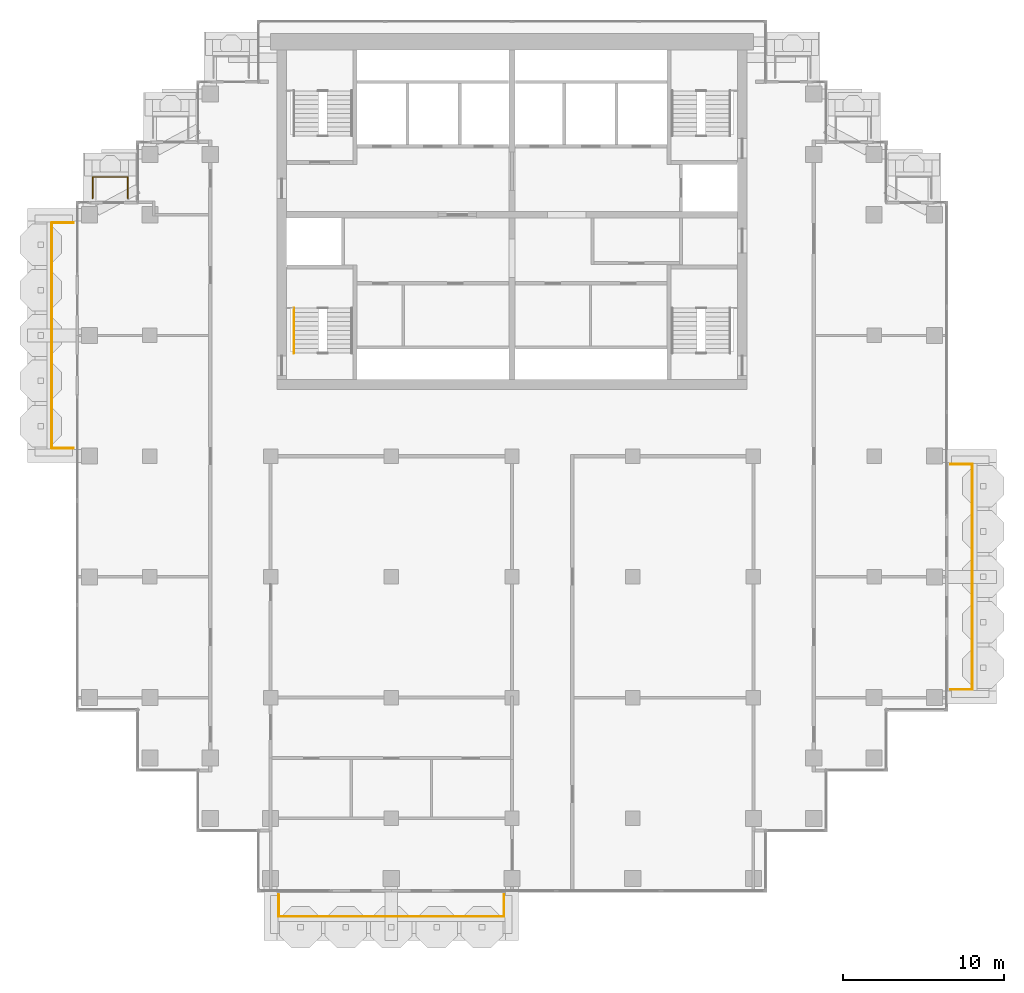
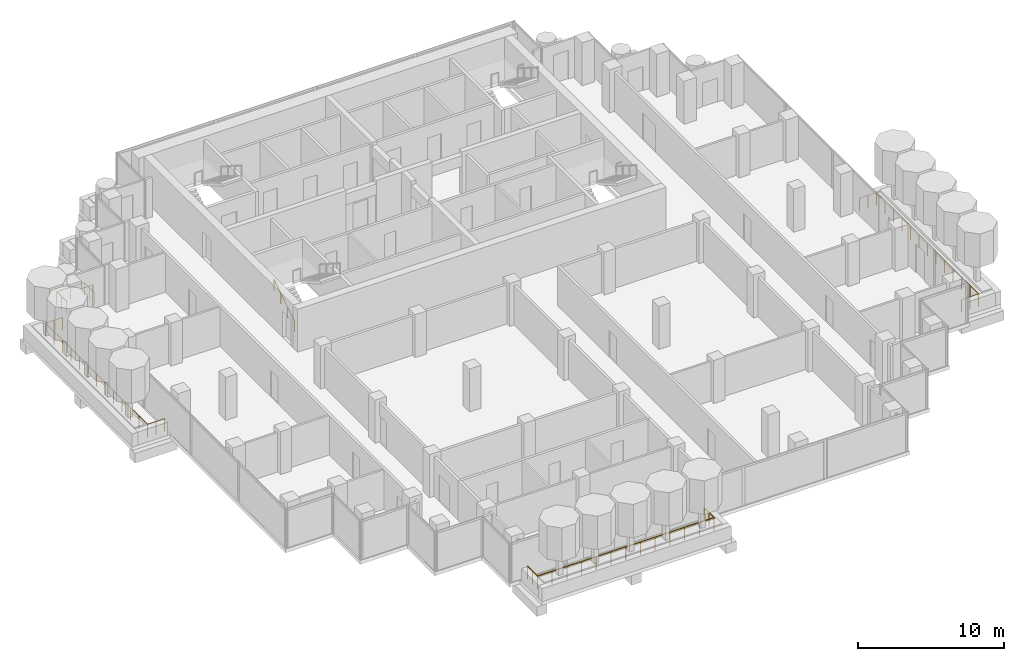
# One storey, part 15 of 17: 5 railings.
"""IFC4 building model written with IfcOpenShell, lengths in metres."""

from ifc_helpers import new_model, si_unit, direction, frame, origin, origin_2d, place, context, subcontext, project, spatial, circle, extrude, material, type_object, element, save


model = new_model("IFC4")

# Units and contexts
model_context = context("Model", 3, precision=1e-05, world=origin(), true_north=direction((0.0, 1.0)))
body_context = subcontext(model_context, "Body", "Model", "MODEL_VIEW")
ifc_project = project(units=[si_unit("LENGTHUNIT", "METRE"), si_unit("AREAUNIT", "SQUARE_METRE"), si_unit("VOLUMEUNIT", "CUBIC_METRE"), si_unit("PLANEANGLEUNIT", "RADIAN"), si_unit("MASSUNIT", "GRAM", prefix="KILO")], contexts=[model_context])

# Site, building, storey
site_placement = place(None, origin())
site = spatial("IfcSite", under=ifc_project, at=site_placement, CompositionType="ELEMENT")
building_placement = place(site_placement, origin())
building = spatial("IfcBuilding", under=site, at=building_placement, Name="Pilkhan Gate Tower", CompositionType="ELEMENT")
storey_placement = place(building_placement, frame((0.0, 0.0, 206.699951171875)))
storey = spatial("IfcBuildingStorey", under=building, at=storey_placement, Name="L53", CompositionType="ELEMENT", Elevation=206.699951171875)

# Railings
ifc_material_1 = material(Name="Pale anodised aluminium posts, laminated glass infill", Category="aluminium")
railing_type_1 = type_object("IfcRailingType", Name="Balcony guard G1", PredefinedType="BALUSTRADE", material=ifc_material_1)
railing_1_placement = place(storey_placement, frame((60.5, 40.25, 0.0)))
element("IfcRailing", 1, at=railing_1_placement, inside=storey, type_object=railing_type_1, Name="Balcony guard L53 S", PredefinedType="BALUSTRADE", context=body_context, shape_type="SweptSolid", body=[
    extrude(circle(Radius=0.02392578125, at=origin_2d()), frame((0.0, 0.0, 1.076171875), z_axis=(0.0, -1.0, 0.0), x_axis=(1.0, 0.0, 0.0)), (0.0, 0.0, 1.0), 1.35009765625),
    extrude(circle(Radius=0.02392578125, at=origin_2d()), frame((0.0, -1.35009765625, 1.076171875), z_axis=(1.0, 0.0, 0.0), x_axis=(0.0, 1.0, 0.0)), (0.0, 0.0, 1.0), 14.0),
    extrude(circle(Radius=0.02392578125, at=origin_2d()), frame((14.0, -1.35009765625, 1.076171875), z_axis=(0.0, 1.0, 0.0), x_axis=(-1.0, 0.0, 0.0)), (0.0, 0.0, 1.0), 1.35009765625),
    extrude(circle(Radius=0.02099609375, at=origin_2d()), origin(), (0.0, 0.0, 1.0), 1.052001953125),
    extrude(circle(Radius=0.02099609375, at=origin_2d()), frame((0.0, -0.675048828125, 0.0)), (0.0, 0.0, 1.0), 1.052001953125),
    extrude(circle(Radius=0.02099609375, at=origin_2d()), frame((0.0, -1.35009765625, 0.0)), (0.0, 0.0, 1.0), 1.052001953125),
    extrude(circle(Radius=0.02099609375, at=origin_2d()), frame((1.166748046875, -1.35009765625, 0.0)), (0.0, 0.0, 1.0), 1.052001953125),
    extrude(circle(Radius=0.02099609375, at=origin_2d()), frame((2.333251953125, -1.35009765625, 0.0)), (0.0, 0.0, 1.0), 1.052001953125),
    extrude(circle(Radius=0.02099609375, at=origin_2d()), frame((3.5, -1.35009765625, 0.0)), (0.0, 0.0, 1.0), 1.052001953125),
    extrude(circle(Radius=0.02099609375, at=origin_2d()), frame((4.666748046875, -1.35009765625, 0.0)), (0.0, 0.0, 1.0), 1.052001953125),
    extrude(circle(Radius=0.02099609375, at=origin_2d()), frame((5.833251953125, -1.35009765625, 0.0)), (0.0, 0.0, 1.0), 1.052001953125),
    extrude(circle(Radius=0.02099609375, at=origin_2d()), frame((7.0, -1.35009765625, 0.0)), (0.0, 0.0, 1.0), 1.052001953125),
    extrude(circle(Radius=0.02099609375, at=origin_2d()), frame((8.166748046875, -1.35009765625, 0.0)), (0.0, 0.0, 1.0), 1.052001953125),
    extrude(circle(Radius=0.02099609375, at=origin_2d()), frame((9.333251953125, -1.35009765625, 0.0)), (0.0, 0.0, 1.0), 1.052001953125),
    extrude(circle(Radius=0.02099609375, at=origin_2d()), frame((10.5, -1.35009765625, 0.0)), (0.0, 0.0, 1.0), 1.052001953125),
    extrude(circle(Radius=0.02099609375, at=origin_2d()), frame((11.666748046875, -1.35009765625, 0.0)), (0.0, 0.0, 1.0), 1.052001953125),
    extrude(circle(Radius=0.02099609375, at=origin_2d()), frame((12.833251953125, -1.35009765625, 0.0)), (0.0, 0.0, 1.0), 1.052001953125),
    extrude(circle(Radius=0.02099609375, at=origin_2d()), frame((14.0, -1.35009765625, 0.0)), (0.0, 0.0, 1.0), 1.052001953125),
    extrude(circle(Radius=0.02099609375, at=origin_2d()), frame((14.0, -0.675048828125, 0.0)), (0.0, 0.0, 1.0), 1.052001953125),
    extrude(circle(Radius=0.02099609375, at=origin_2d()), frame((14.0, 0.0, 0.0)), (0.0, 0.0, 1.0), 1.052001953125),
])
railing_2_placement = place(storey_placement, frame((102.25, 53.0, 0.0)))
element("IfcRailing", 2, at=railing_2_placement, inside=storey, type_object=railing_type_1, Name="Balcony guard L53 E", PredefinedType="BALUSTRADE", context=body_context, shape_type="SweptSolid", body=[
    extrude(circle(Radius=0.02392578125, at=origin_2d()), frame((0.0, 0.0, 1.076171875), z_axis=(1.0, 0.0, 0.0), x_axis=(0.0, 1.0, 0.0)), (0.0, 0.0, 1.0), 1.35009765625),
    extrude(circle(Radius=0.02392578125, at=origin_2d()), frame((1.35009765625, 0.0, 1.076171875), z_axis=(0.0, 1.0, 0.0), x_axis=(-1.0, 0.0, 0.0)), (0.0, 0.0, 1.0), 14.0),
    extrude(circle(Radius=0.02392578125, at=origin_2d()), frame((1.35009765625, 14.0, 1.076171875), z_axis=(-1.0, 0.0, 0.0), x_axis=(0.0, -1.0, 0.0)), (0.0, 0.0, 1.0), 1.35009765625),
    extrude(circle(Radius=0.02099609375, at=origin_2d()), origin(), (0.0, 0.0, 1.0), 1.052001953125),
    extrude(circle(Radius=0.02099609375, at=origin_2d()), frame((0.675048828125, 0.0, 0.0)), (0.0, 0.0, 1.0), 1.052001953125),
    extrude(circle(Radius=0.02099609375, at=origin_2d()), frame((1.35009765625, 0.0, 0.0)), (0.0, 0.0, 1.0), 1.052001953125),
    extrude(circle(Radius=0.02099609375, at=origin_2d()), frame((1.35009765625, 1.166748046875, 0.0)), (0.0, 0.0, 1.0), 1.052001953125),
    extrude(circle(Radius=0.02099609375, at=origin_2d()), frame((1.35009765625, 2.333251953125, 0.0)), (0.0, 0.0, 1.0), 1.052001953125),
    extrude(circle(Radius=0.02099609375, at=origin_2d()), frame((1.35009765625, 3.5, 0.0)), (0.0, 0.0, 1.0), 1.052001953125),
    extrude(circle(Radius=0.02099609375, at=origin_2d()), frame((1.35009765625, 4.666748046875, 0.0)), (0.0, 0.0, 1.0), 1.052001953125),
    extrude(circle(Radius=0.02099609375, at=origin_2d()), frame((1.35009765625, 5.833251953125, 0.0)), (0.0, 0.0, 1.0), 1.052001953125),
    extrude(circle(Radius=0.02099609375, at=origin_2d()), frame((1.35009765625, 7.0, 0.0)), (0.0, 0.0, 1.0), 1.052001953125),
    extrude(circle(Radius=0.02099609375, at=origin_2d()), frame((1.35009765625, 8.166748046875, 0.0)), (0.0, 0.0, 1.0), 1.052001953125),
    extrude(circle(Radius=0.02099609375, at=origin_2d()), frame((1.35009765625, 9.333251953125, 0.0)), (0.0, 0.0, 1.0), 1.052001953125),
    extrude(circle(Radius=0.02099609375, at=origin_2d()), frame((1.35009765625, 10.5, 0.0)), (0.0, 0.0, 1.0), 1.052001953125),
    extrude(circle(Radius=0.02099609375, at=origin_2d()), frame((1.35009765625, 11.666748046875, 0.0)), (0.0, 0.0, 1.0), 1.052001953125),
    extrude(circle(Radius=0.02099609375, at=origin_2d()), frame((1.35009765625, 12.833251953125, 0.0)), (0.0, 0.0, 1.0), 1.052001953125),
    extrude(circle(Radius=0.02099609375, at=origin_2d()), frame((1.35009765625, 14.0, 0.0)), (0.0, 0.0, 1.0), 1.052001953125),
    extrude(circle(Radius=0.02099609375, at=origin_2d()), frame((0.675048828125, 14.0, 0.0)), (0.0, 0.0, 1.0), 1.052001953125),
    extrude(circle(Radius=0.02099609375, at=origin_2d()), frame((0.0, 14.0, 0.0)), (0.0, 0.0, 1.0), 1.052001953125),
])
railing_3_placement = place(storey_placement, frame((48.949951171875, 83.52001953125, 0.0)))
element("IfcRailing", 3, at=railing_3_placement, inside=storey, type_object=railing_type_1, Name="Balcony guard L53 N", PredefinedType="BALUSTRADE", context=body_context, shape_type="SweptSolid", body=[
    extrude(circle(Radius=0.02392578125, at=origin_2d()), frame((0.0, 0.0, 1.076171875), z_axis=(0.0, 1.0, 0.0), x_axis=(-1.0, 0.0, 0.0)), (0.0, 0.0, 1.0), 1.330078125),
    extrude(circle(Radius=0.02392578125, at=origin_2d()), frame((0.0, 1.330078125, 1.076171875), z_axis=(1.0, 0.0, 0.0), x_axis=(0.0, 1.0, 0.0)), (0.0, 0.0, 1.0), 2.179931640625),
    extrude(circle(Radius=0.02392578125, at=origin_2d()), frame((2.179931640625, 1.330078125, 1.076171875), z_axis=(0.0, -1.0, 0.0), x_axis=(1.0, 0.0, 0.0)), (0.0, 0.0, 1.0), 1.330078125),
    extrude(circle(Radius=0.02099609375, at=origin_2d()), origin(), (0.0, 0.0, 1.0), 1.052001953125),
    extrude(circle(Radius=0.02099609375, at=origin_2d()), frame((0.0, 0.6650390625, 0.0)), (0.0, 0.0, 1.0), 1.052001953125),
    extrude(circle(Radius=0.02099609375, at=origin_2d()), frame((0.0, 1.330078125, 0.0)), (0.0, 0.0, 1.0), 1.052001953125),
    extrude(circle(Radius=0.02099609375, at=origin_2d()), frame((1.08984375, 1.330078125, 0.0)), (0.0, 0.0, 1.0), 1.052001953125),
    extrude(circle(Radius=0.02099609375, at=origin_2d()), frame((2.179931640625, 1.330078125, 0.0)), (0.0, 0.0, 1.0), 1.052001953125),
    extrude(circle(Radius=0.02099609375, at=origin_2d()), frame((2.179931640625, 0.6650390625, 0.0)), (0.0, 0.0, 1.0), 1.052001953125),
    extrude(circle(Radius=0.02099609375, at=origin_2d()), frame((2.179931640625, 0.0, 0.0)), (0.0, 0.0, 1.0), 1.052001953125),
])
railing_4_placement = place(storey_placement, frame((47.75, 68.0, 0.0)))
element("IfcRailing", 4, at=railing_4_placement, inside=storey, type_object=railing_type_1, Name="Balcony guard L53 W", PredefinedType="BALUSTRADE", context=body_context, shape_type="SweptSolid", body=[
    extrude(circle(Radius=0.02392578125, at=origin_2d()), frame((0.0, 0.0, 1.076171875), z_axis=(-1.0, 0.0, 0.0), x_axis=(0.0, -1.0, 0.0)), (0.0, 0.0, 1.0), 1.35009765625),
    extrude(circle(Radius=0.02392578125, at=origin_2d()), frame((-1.35009765625, 0.0, 1.076171875), z_axis=(0.0, 1.0, 0.0), x_axis=(-1.0, 0.0, 0.0)), (0.0, 0.0, 1.0), 14.0),
    extrude(circle(Radius=0.02392578125, at=origin_2d()), frame((-1.35009765625, 14.0, 1.076171875), z_axis=(1.0, 0.0, 0.0), x_axis=(0.0, 1.0, 0.0)), (0.0, 0.0, 1.0), 1.35009765625),
    extrude(circle(Radius=0.02099609375, at=origin_2d()), origin(), (0.0, 0.0, 1.0), 1.052001953125),
    extrude(circle(Radius=0.02099609375, at=origin_2d()), frame((-0.675048828125, 0.0, 0.0)), (0.0, 0.0, 1.0), 1.052001953125),
    extrude(circle(Radius=0.02099609375, at=origin_2d()), frame((-1.35009765625, 0.0, 0.0)), (0.0, 0.0, 1.0), 1.052001953125),
    extrude(circle(Radius=0.02099609375, at=origin_2d()), frame((-1.35009765625, 1.166748046875, 0.0)), (0.0, 0.0, 1.0), 1.052001953125),
    extrude(circle(Radius=0.02099609375, at=origin_2d()), frame((-1.35009765625, 2.333251953125, 0.0)), (0.0, 0.0, 1.0), 1.052001953125),
    extrude(circle(Radius=0.02099609375, at=origin_2d()), frame((-1.35009765625, 3.5, 0.0)), (0.0, 0.0, 1.0), 1.052001953125),
    extrude(circle(Radius=0.02099609375, at=origin_2d()), frame((-1.35009765625, 4.666748046875, 0.0)), (0.0, 0.0, 1.0), 1.052001953125),
    extrude(circle(Radius=0.02099609375, at=origin_2d()), frame((-1.35009765625, 5.833251953125, 0.0)), (0.0, 0.0, 1.0), 1.052001953125),
    extrude(circle(Radius=0.02099609375, at=origin_2d()), frame((-1.35009765625, 7.0, 0.0)), (0.0, 0.0, 1.0), 1.052001953125),
    extrude(circle(Radius=0.02099609375, at=origin_2d()), frame((-1.35009765625, 8.166748046875, 0.0)), (0.0, 0.0, 1.0), 1.052001953125),
    extrude(circle(Radius=0.02099609375, at=origin_2d()), frame((-1.35009765625, 9.333251953125, 0.0)), (0.0, 0.0, 1.0), 1.052001953125),
    extrude(circle(Radius=0.02099609375, at=origin_2d()), frame((-1.35009765625, 10.5, 0.0)), (0.0, 0.0, 1.0), 1.052001953125),
    extrude(circle(Radius=0.02099609375, at=origin_2d()), frame((-1.35009765625, 11.666748046875, 0.0)), (0.0, 0.0, 1.0), 1.052001953125),
    extrude(circle(Radius=0.02099609375, at=origin_2d()), frame((-1.35009765625, 12.833251953125, 0.0)), (0.0, 0.0, 1.0), 1.052001953125),
    extrude(circle(Radius=0.02099609375, at=origin_2d()), frame((-1.35009765625, 14.0, 0.0)), (0.0, 0.0, 1.0), 1.052001953125),
    extrude(circle(Radius=0.02099609375, at=origin_2d()), frame((-0.675048828125, 14.0, 0.0)), (0.0, 0.0, 1.0), 1.052001953125),
    extrude(circle(Radius=0.02099609375, at=origin_2d()), frame((0.0, 14.0, 0.0)), (0.0, 0.0, 1.0), 1.052001953125),
])
ifc_material_2 = material(Name="Black powder-coated steel tube", Category="steel")
railing_type_2 = type_object("IfcRailingType", Name="Stair handrail HR1", PredefinedType="HANDRAIL", material=ifc_material_2)
railing_5_placement = place(storey_placement, frame((61.449951171875, 73.89990234375, 0.0)))
element("IfcRailing", 5, at=railing_5_placement, inside=storey, type_object=railing_type_2, Name="Stair ST2 handrail L53", PredefinedType="HANDRAIL", context=body_context, shape_type="SweptSolid", body=[
    extrude(circle(Radius=0.02392578125, at=origin_2d()), frame((0.0, 0.0, 0.8759765625), z_axis=(0.0, 0.841176092368, 0.540761298198), x_axis=(-1.0, 0.0, 0.0)), (0.0, 0.0, 1.0), 3.32861328125),
    extrude(circle(Radius=0.02099609375, at=origin_2d()), origin(), (0.0, 0.0, 1.0), 0.851806640625),
    extrude(circle(Radius=0.02099609375, at=origin_2d()), frame((0.0, 0.933349609375, 0.60009765625)), (0.0, 0.0, 1.0), 0.851806640625),
    extrude(circle(Radius=0.02099609375, at=origin_2d()), frame((0.0, 1.86669921875, 1.199951171875)), (0.0, 0.0, 1.0), 0.851806640625),
    extrude(circle(Radius=0.02099609375, at=origin_2d()), frame((0.0, 2.800048828125, 1.800048828125)), (0.0, 0.0, 1.0), 0.851806640625),
])

save(model, "model.ifc")
